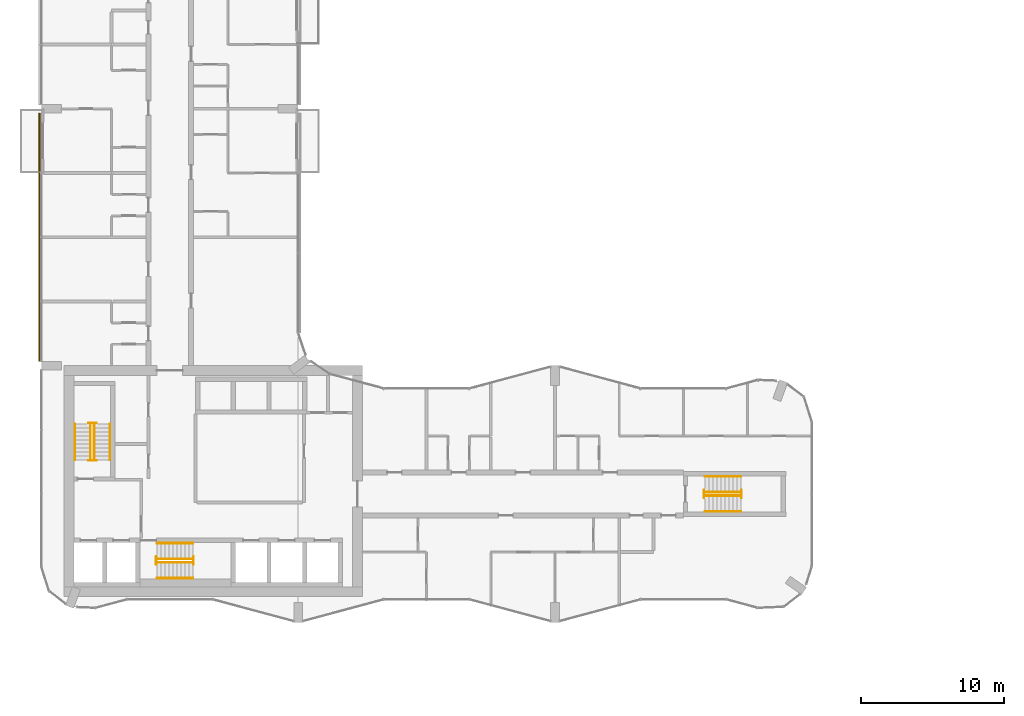
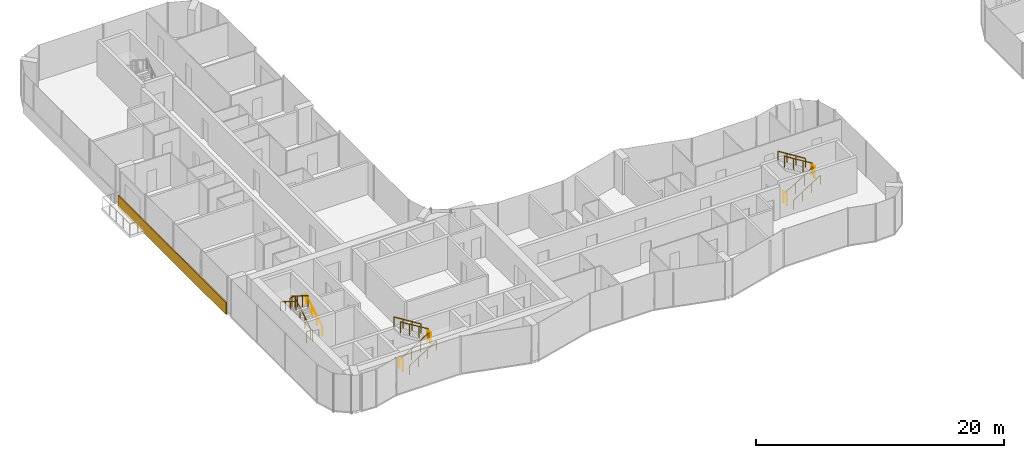
# One storey, part 20 of 22: 18 railings, 1 covering.
"""IFC4 building model written with IfcOpenShell, lengths in metres."""

from ifc_helpers import new_model, si_unit, direction, frame, origin, origin_2d, place, context, subcontext, project, spatial, rectangle, circle, extrude, material, layer, layer_set, type_object, element, save


model = new_model("IFC4")

# Units and contexts
model_context = context("Model", 3, precision=1e-05, world=origin(), true_north=direction((0.0, 1.0)))
body_context = subcontext(model_context, "Body", "Model", "MODEL_VIEW")
ifc_project = project(units=[si_unit("LENGTHUNIT", "METRE"), si_unit("AREAUNIT", "SQUARE_METRE"), si_unit("VOLUMEUNIT", "CUBIC_METRE"), si_unit("PLANEANGLEUNIT", "RADIAN"), si_unit("MASSUNIT", "GRAM", prefix="KILO")], contexts=[model_context])

# Site, building, storey
site_placement = place(None, origin())
site = spatial("IfcSite", under=ifc_project, at=site_placement, CompositionType="ELEMENT")
building_placement = place(site_placement, origin())
building = spatial("IfcBuilding", under=site, at=building_placement, Name="Plateau Cross Towers", CompositionType="ELEMENT")
storey_placement = place(building_placement, frame((0.0, 0.0, 68.800048828125)))
storey = spatial("IfcBuildingStorey", under=building, at=storey_placement, Name="L17", CompositionType="ELEMENT", Elevation=68.800048828125)

# Railings
ifc_material_1 = material(Name="Stainless steel and toughened glass", Category="steel")
railing_type_1 = type_object("IfcRailingType", Name="RL-GUARD-1100", PredefinedType="GUARDRAIL", material=ifc_material_1)
railing_1_placement = place(storey_placement, frame((3.699951171875, 11.39990234375, 0.175048828125)))
element("IfcRailing", 1, at=railing_1_placement, inside=storey, type_object=railing_type_1, Name="L17 ST-1 stair guard 1", PredefinedType="GUARDRAIL", context=body_context, shape_type="SweptSolid", body=[
    extrude(circle(Radius=0.02392578125, at=origin_2d()), frame((0.0, 0.0, 1.076171875), z_axis=(0.0, 0.848007534815, 0.529984170421), x_axis=(-1.0, 0.0, 0.0)), (0.0, 0.0, 1.0), 2.9716796875),
    extrude(circle(Radius=0.02099609375, at=origin_2d()), origin(), (0.0, 0.0, 1.0), 1.052001953125),
    extrude(circle(Radius=0.02099609375, at=origin_2d()), frame((0.0, 0.840087890625, 0.52490234375)), (0.0, 0.0, 1.0), 1.052001953125),
    extrude(circle(Radius=0.02099609375, at=origin_2d()), frame((0.0, 1.679931640625, 1.050048828125)), (0.0, 0.0, 1.0), 1.052001953125),
    extrude(circle(Radius=0.02099609375, at=origin_2d()), frame((0.0, 2.52001953125, 1.574951171875)), (0.0, 0.0, 1.0), 1.052001953125),
])
railing_2_placement = place(storey_placement, frame((3.85009765625, 13.969970703125, 1.75)))
element("IfcRailing", 2, at=railing_2_placement, inside=storey, type_object=railing_type_1, Name="L17 ST-1 stair guard 2", PredefinedType="GUARDRAIL", context=body_context, shape_type="SweptSolid", body=[
    extrude(circle(Radius=0.02392578125, at=origin_2d()), frame((0.0, 0.0, 1.076171875), z_axis=(-1.0, 0.0, 0.0), x_axis=(0.0, -1.0, 0.0)), (0.0, 0.0, 1.0), 0.550048828125),
    extrude(circle(Radius=0.02099609375, at=origin_2d()), origin(), (0.0, 0.0, 1.0), 1.052001953125),
    extrude(circle(Radius=0.02099609375, at=origin_2d()), frame((-0.550048828125, 0.0, 0.0)), (0.0, 0.0, 1.0), 1.052001953125),
])
railing_3_placement = place(storey_placement, frame((3.449951171875, 13.919921875, 1.925048828125)))
element("IfcRailing", 3, at=railing_3_placement, inside=storey, type_object=railing_type_1, Name="L17 ST-1 stair guard 3", PredefinedType="GUARDRAIL", context=body_context, shape_type="SweptSolid", body=[
    extrude(circle(Radius=0.02392578125, at=origin_2d()), frame((0.0, 0.0, 1.076171875), z_axis=(0.0, -0.852616386126, 0.522537365276), x_axis=(1.0, 0.0, 0.0)), (0.0, 0.0, 1.0), 3.01416015625),
    extrude(circle(Radius=0.02099609375, at=origin_2d()), origin(), (0.0, 0.0, 1.0), 1.052001953125),
    extrude(circle(Radius=0.02099609375, at=origin_2d()), frame((0.0, -0.856689453125, 0.52490234375)), (0.0, 0.0, 1.0), 1.052001953125),
    extrude(circle(Radius=0.02099609375, at=origin_2d()), frame((0.0, -1.713134765625, 1.050048828125)), (0.0, 0.0, 1.0), 1.052001953125),
    extrude(circle(Radius=0.02099609375, at=origin_2d()), frame((0.0, -2.56982421875, 1.574951171875)), (0.0, 0.0, 1.0), 1.052001953125),
])
railing_4_placement = place(storey_placement, frame((3.85009765625, 11.35009765625, 0.0)))
element("IfcRailing", 4, at=railing_4_placement, inside=storey, type_object=railing_type_1, Name="L17 ST-1 stair guard 4", PredefinedType="GUARDRAIL", context=body_context, shape_type="SweptSolid", body=[
    extrude(circle(Radius=0.02392578125, at=origin_2d()), frame((0.0, 0.0, 1.076171875), z_axis=(-1.0, 0.0, 0.0), x_axis=(0.0, -1.0, 0.0)), (0.0, 0.0, 1.0), 0.550048828125),
    extrude(circle(Radius=0.02099609375, at=origin_2d()), origin(), (0.0, 0.0, 1.0), 1.052001953125),
    extrude(circle(Radius=0.02099609375, at=origin_2d()), frame((-0.550048828125, 0.0, 0.0)), (0.0, 0.0, 1.0), 1.052001953125),
])
railing_5_placement = place(storey_placement, frame((8.10009765625, 4.199951171875, 0.175048828125)))
element("IfcRailing", 5, at=railing_5_placement, inside=storey, type_object=railing_type_1, Name="L17 ST-2 stair guard 1", PredefinedType="GUARDRAIL", context=body_context, shape_type="SweptSolid", body=[
    extrude(circle(Radius=0.02392578125, at=origin_2d()), frame((0.0, 0.0, 1.076171875), z_axis=(0.848007534815, 0.0, 0.529984170421), x_axis=(0.0, 1.0, 0.0)), (0.0, 0.0, 1.0), 2.9716796875),
    extrude(circle(Radius=0.02099609375, at=origin_2d()), origin(), (0.0, 0.0, 1.0), 1.052001953125),
    extrude(circle(Radius=0.02099609375, at=origin_2d()), frame((0.840087890625, 0.0, 0.52490234375)), (0.0, 0.0, 1.0), 1.052001953125),
    extrude(circle(Radius=0.02099609375, at=origin_2d()), frame((1.679931640625, 0.0, 1.050048828125)), (0.0, 0.0, 1.0), 1.052001953125),
    extrude(circle(Radius=0.02099609375, at=origin_2d()), frame((2.52001953125, 0.0, 1.574951171875)), (0.0, 0.0, 1.0), 1.052001953125),
])
railing_6_placement = place(storey_placement, frame((10.669921875, 4.050048828125, 1.75)))
element("IfcRailing", 6, at=railing_6_placement, inside=storey, type_object=railing_type_1, Name="L17 ST-2 stair guard 2", PredefinedType="GUARDRAIL", context=body_context, shape_type="SweptSolid", body=[
    extrude(circle(Radius=0.02392578125, at=origin_2d()), frame((0.0, 0.0, 1.076171875), z_axis=(0.0, 1.0, 0.0), x_axis=(-1.0, 0.0, 0.0)), (0.0, 0.0, 1.0), 0.550048828125),
    extrude(circle(Radius=0.02099609375, at=origin_2d()), origin(), (0.0, 0.0, 1.0), 1.052001953125),
    extrude(circle(Radius=0.02099609375, at=origin_2d()), frame((0.0, 0.550048828125, 0.0)), (0.0, 0.0, 1.0), 1.052001953125),
])
railing_7_placement = place(storey_placement, frame((10.6201171875, 4.449951171875, 1.925048828125)))
element("IfcRailing", 7, at=railing_7_placement, inside=storey, type_object=railing_type_1, Name="L17 ST-2 stair guard 3", PredefinedType="GUARDRAIL", context=body_context, shape_type="SweptSolid", body=[
    extrude(circle(Radius=0.02392578125, at=origin_2d()), frame((0.0, 0.0, 1.076171875), z_axis=(-0.852638500773, 0.0, 0.522501279423), x_axis=(0.0, -1.0, 0.0)), (0.0, 0.0, 1.0), 3.01416015625),
    extrude(circle(Radius=0.02099609375, at=origin_2d()), origin(), (0.0, 0.0, 1.0), 1.052001953125),
    extrude(circle(Radius=0.02099609375, at=origin_2d()), frame((-0.856689453125, 0.0, 0.52490234375)), (0.0, 0.0, 1.0), 1.052001953125),
    extrude(circle(Radius=0.02099609375, at=origin_2d()), frame((-1.71337890625, 0.0, 1.050048828125)), (0.0, 0.0, 1.0), 1.052001953125),
    extrude(circle(Radius=0.02099609375, at=origin_2d()), frame((-2.570068359375, 0.0, 1.574951171875)), (0.0, 0.0, 1.0), 1.052001953125),
])
railing_8_placement = place(storey_placement, frame((8.050048828125, 4.050048828125, 0.0)))
element("IfcRailing", 8, at=railing_8_placement, inside=storey, type_object=railing_type_1, Name="L17 ST-2 stair guard 4", PredefinedType="GUARDRAIL", context=body_context, shape_type="SweptSolid", body=[
    extrude(circle(Radius=0.02392578125, at=origin_2d()), frame((0.0, 0.0, 1.076171875), z_axis=(0.0, 1.0, 0.0), x_axis=(-1.0, 0.0, 0.0)), (0.0, 0.0, 1.0), 0.550048828125),
    extrude(circle(Radius=0.02099609375, at=origin_2d()), origin(), (0.0, 0.0, 1.0), 1.052001953125),
    extrude(circle(Radius=0.02099609375, at=origin_2d()), frame((0.0, 0.550048828125, 0.0)), (0.0, 0.0, 1.0), 1.052001953125),
])
railing_9_placement = place(storey_placement, frame((46.5, 8.875, 0.175048828125)))
element("IfcRailing", 9, at=railing_9_placement, inside=storey, type_object=railing_type_1, Name="L17 ES-E stair guard 1", PredefinedType="GUARDRAIL", context=body_context, shape_type="SweptSolid", body=[
    extrude(circle(Radius=0.02392578125, at=origin_2d()), frame((0.0, 0.0, 1.076171875), z_axis=(0.848007534815, 0.0, 0.529984170421), x_axis=(0.0, 1.0, 0.0)), (0.0, 0.0, 1.0), 2.9716796875),
    extrude(circle(Radius=0.02099609375, at=origin_2d()), origin(), (0.0, 0.0, 1.0), 1.052001953125),
    extrude(circle(Radius=0.02099609375, at=origin_2d()), frame((0.840087890625, 0.0, 0.52490234375)), (0.0, 0.0, 1.0), 1.052001953125),
    extrude(circle(Radius=0.02099609375, at=origin_2d()), frame((1.679931640625, 0.0, 1.050048828125)), (0.0, 0.0, 1.0), 1.052001953125),
    extrude(circle(Radius=0.02099609375, at=origin_2d()), frame((2.52001953125, 0.0, 1.574951171875)), (0.0, 0.0, 1.0), 1.052001953125),
])
railing_10_placement = place(storey_placement, frame((49.070068359375, 8.72509765625, 1.75)))
element("IfcRailing", 10, at=railing_10_placement, inside=storey, type_object=railing_type_1, Name="L17 ES-E stair guard 2", PredefinedType="GUARDRAIL", context=body_context, shape_type="SweptSolid", body=[
    extrude(circle(Radius=0.02392578125, at=origin_2d()), frame((0.0, 0.0, 1.076171875), z_axis=(0.0, 1.0, 0.0), x_axis=(-1.0, 0.0, 0.0)), (0.0, 0.0, 1.0), 0.5498046875),
    extrude(circle(Radius=0.02099609375, at=origin_2d()), origin(), (0.0, 0.0, 1.0), 1.052001953125),
    extrude(circle(Radius=0.02099609375, at=origin_2d()), frame((0.0, 0.5498046875, 0.0)), (0.0, 0.0, 1.0), 1.052001953125),
])
railing_11_placement = place(storey_placement, frame((49.02001953125, 9.125, 1.925048828125)))
element("IfcRailing", 11, at=railing_11_placement, inside=storey, type_object=railing_type_1, Name="L17 ES-E stair guard 3", PredefinedType="GUARDRAIL", context=body_context, shape_type="SweptSolid", body=[
    extrude(circle(Radius=0.02392578125, at=origin_2d()), frame((0.0, 0.0, 1.076171875), z_axis=(-0.852638500773, 0.0, 0.522501279423), x_axis=(0.0, -1.0, 0.0)), (0.0, 0.0, 1.0), 3.01416015625),
    extrude(circle(Radius=0.02099609375, at=origin_2d()), origin(), (0.0, 0.0, 1.0), 1.052001953125),
    extrude(circle(Radius=0.02099609375, at=origin_2d()), frame((-0.856689453125, 0.0, 0.52490234375)), (0.0, 0.0, 1.0), 1.052001953125),
    extrude(circle(Radius=0.02099609375, at=origin_2d()), frame((-1.71337890625, 0.0, 1.050048828125)), (0.0, 0.0, 1.0), 1.052001953125),
    extrude(circle(Radius=0.02099609375, at=origin_2d()), frame((-2.570068359375, 0.0, 1.574951171875)), (0.0, 0.0, 1.0), 1.052001953125),
])
railing_12_placement = place(storey_placement, frame((46.449951171875, 8.72509765625, 0.0)))
element("IfcRailing", 12, at=railing_12_placement, inside=storey, type_object=railing_type_1, Name="L17 ES-E stair guard 4", PredefinedType="GUARDRAIL", context=body_context, shape_type="SweptSolid", body=[
    extrude(circle(Radius=0.02392578125, at=origin_2d()), frame((0.0, 0.0, 1.076171875), z_axis=(0.0, 1.0, 0.0), x_axis=(-1.0, 0.0, 0.0)), (0.0, 0.0, 1.0), 0.5498046875),
    extrude(circle(Radius=0.02099609375, at=origin_2d()), origin(), (0.0, 0.0, 1.0), 1.052001953125),
    extrude(circle(Radius=0.02099609375, at=origin_2d()), frame((0.0, 0.5498046875, 0.0)), (0.0, 0.0, 1.0), 1.052001953125),
])
ifc_material_2 = material(Name="Black anodised aluminium", Category="aluminium")
railing_type_2 = type_object("IfcRailingType", Name="RL-HANDRAIL-900", PredefinedType="HANDRAIL", material=ifc_material_2)
railing_13_placement = place(storey_placement, frame((4.800048828125, 11.39990234375, 0.175048828125)))
element("IfcRailing", 13, at=railing_13_placement, inside=storey, type_object=railing_type_2, Name="L17 ST-1 stair handrail 1", PredefinedType="HANDRAIL", context=body_context, shape_type="SweptSolid", body=[
    extrude(circle(Radius=0.02392578125, at=origin_2d()), frame((0.0, 0.0, 0.8759765625), z_axis=(0.0, 0.848007534815, 0.529984170421), x_axis=(-1.0, 0.0, 0.0)), (0.0, 0.0, 1.0), 2.9716796875),
    extrude(circle(Radius=0.02099609375, at=origin_2d()), origin(), (0.0, 0.0, 1.0), 0.851806640625),
    extrude(circle(Radius=0.02099609375, at=origin_2d()), frame((0.0, 0.840087890625, 0.52490234375)), (0.0, 0.0, 1.0), 0.851806640625),
    extrude(circle(Radius=0.02099609375, at=origin_2d()), frame((0.0, 1.679931640625, 1.050048828125)), (0.0, 0.0, 1.0), 0.851806640625),
    extrude(circle(Radius=0.02099609375, at=origin_2d()), frame((0.0, 2.52001953125, 1.574951171875)), (0.0, 0.0, 1.0), 0.851806640625),
])
railing_14_placement = place(storey_placement, frame((2.35009765625, 13.919921875, 1.925048828125)))
element("IfcRailing", 14, at=railing_14_placement, inside=storey, type_object=railing_type_2, Name="L17 ST-1 stair handrail 2", PredefinedType="HANDRAIL", context=body_context, shape_type="SweptSolid", body=[
    extrude(circle(Radius=0.02392578125, at=origin_2d()), frame((0.0, 0.0, 0.8759765625), z_axis=(0.0, -0.848007534815, 0.529984170421), x_axis=(1.0, 0.0, 0.0)), (0.0, 0.0, 1.0), 2.9716796875),
    extrude(circle(Radius=0.02099609375, at=origin_2d()), origin(), (0.0, 0.0, 1.0), 0.851806640625),
    extrude(circle(Radius=0.02099609375, at=origin_2d()), frame((0.0, -0.840087890625, 0.52490234375)), (0.0, 0.0, 1.0), 0.851806640625),
    extrude(circle(Radius=0.02099609375, at=origin_2d()), frame((0.0, -1.679931640625, 1.050048828125)), (0.0, 0.0, 1.0), 0.851806640625),
    extrude(circle(Radius=0.02099609375, at=origin_2d()), frame((0.0, -2.52001953125, 1.574951171875)), (0.0, 0.0, 1.0), 0.851806640625),
])
railing_15_placement = place(storey_placement, frame((8.10009765625, 3.10009765625, 0.175048828125)))
element("IfcRailing", 15, at=railing_15_placement, inside=storey, type_object=railing_type_2, Name="L17 ST-2 stair handrail 1", PredefinedType="HANDRAIL", context=body_context, shape_type="SweptSolid", body=[
    extrude(circle(Radius=0.02392578125, at=origin_2d()), frame((0.0, 0.0, 0.8759765625), z_axis=(0.848007534815, 0.0, 0.529984170421), x_axis=(0.0, 1.0, 0.0)), (0.0, 0.0, 1.0), 2.9716796875),
    extrude(circle(Radius=0.02099609375, at=origin_2d()), origin(), (0.0, 0.0, 1.0), 0.851806640625),
    extrude(circle(Radius=0.02099609375, at=origin_2d()), frame((0.840087890625, 0.0, 0.52490234375)), (0.0, 0.0, 1.0), 0.851806640625),
    extrude(circle(Radius=0.02099609375, at=origin_2d()), frame((1.679931640625, 0.0, 1.050048828125)), (0.0, 0.0, 1.0), 0.851806640625),
    extrude(circle(Radius=0.02099609375, at=origin_2d()), frame((2.52001953125, 0.0, 1.574951171875)), (0.0, 0.0, 1.0), 0.851806640625),
])
railing_16_placement = place(storey_placement, frame((10.6201171875, 5.550048828125, 1.925048828125)))
element("IfcRailing", 16, at=railing_16_placement, inside=storey, type_object=railing_type_2, Name="L17 ST-2 stair handrail 2", PredefinedType="HANDRAIL", context=body_context, shape_type="SweptSolid", body=[
    extrude(circle(Radius=0.02392578125, at=origin_2d()), frame((0.0, 0.0, 0.8759765625), z_axis=(-0.848007534815, 0.0, 0.529984170421), x_axis=(0.0, -1.0, 0.0)), (0.0, 0.0, 1.0), 2.9716796875),
    extrude(circle(Radius=0.02099609375, at=origin_2d()), origin(), (0.0, 0.0, 1.0), 0.851806640625),
    extrude(circle(Radius=0.02099609375, at=origin_2d()), frame((-0.840087890625, 0.0, 0.52490234375)), (0.0, 0.0, 1.0), 0.851806640625),
    extrude(circle(Radius=0.02099609375, at=origin_2d()), frame((-1.679931640625, 0.0, 1.050048828125)), (0.0, 0.0, 1.0), 0.851806640625),
    extrude(circle(Radius=0.02099609375, at=origin_2d()), frame((-2.52001953125, 0.0, 1.574951171875)), (0.0, 0.0, 1.0), 0.851806640625),
])
railing_17_placement = place(storey_placement, frame((46.5, 7.77490234375, 0.175048828125)))
element("IfcRailing", 17, at=railing_17_placement, inside=storey, type_object=railing_type_2, Name="L17 ES-E stair handrail 1", PredefinedType="HANDRAIL", context=body_context, shape_type="SweptSolid", body=[
    extrude(circle(Radius=0.02392578125, at=origin_2d()), frame((0.0, 0.0, 0.8759765625), z_axis=(0.848007534815, 0.0, 0.529984170421), x_axis=(0.0, 1.0, 0.0)), (0.0, 0.0, 1.0), 2.9716796875),
    extrude(circle(Radius=0.02099609375, at=origin_2d()), origin(), (0.0, 0.0, 1.0), 0.851806640625),
    extrude(circle(Radius=0.02099609375, at=origin_2d()), frame((0.840087890625, 0.0, 0.52490234375)), (0.0, 0.0, 1.0), 0.851806640625),
    extrude(circle(Radius=0.02099609375, at=origin_2d()), frame((1.679931640625, 0.0, 1.050048828125)), (0.0, 0.0, 1.0), 0.851806640625),
    extrude(circle(Radius=0.02099609375, at=origin_2d()), frame((2.52001953125, 0.0, 1.574951171875)), (0.0, 0.0, 1.0), 0.851806640625),
])
railing_18_placement = place(storey_placement, frame((49.02001953125, 10.22509765625, 1.925048828125)))
element("IfcRailing", 18, at=railing_18_placement, inside=storey, type_object=railing_type_2, Name="L17 ES-E stair handrail 2", PredefinedType="HANDRAIL", context=body_context, shape_type="SweptSolid", body=[
    extrude(circle(Radius=0.02392578125, at=origin_2d()), frame((0.0, 0.0, 0.8759765625), z_axis=(-0.848007534815, 0.0, 0.529984170421), x_axis=(0.0, -1.0, 0.0)), (0.0, 0.0, 1.0), 2.9716796875),
    extrude(circle(Radius=0.02099609375, at=origin_2d()), origin(), (0.0, 0.0, 1.0), 0.851806640625),
    extrude(circle(Radius=0.02099609375, at=origin_2d()), frame((-0.840087890625, 0.0, 0.52490234375)), (0.0, 0.0, 1.0), 0.851806640625),
    extrude(circle(Radius=0.02099609375, at=origin_2d()), frame((-1.679931640625, 0.0, 1.050048828125)), (0.0, 0.0, 1.0), 0.851806640625),
    extrude(circle(Radius=0.02099609375, at=origin_2d()), frame((-2.52001953125, 0.0, 1.574951171875)), (0.0, 0.0, 1.0), 0.851806640625),
])

# Covering
ifc_material_3 = material(Name="Precast concrete cladding C40/50", Category="concrete")
ifc_layer = layer(ifc_material_3, 0.10009765625)
ifc_layer_set = layer_set([ifc_layer], Name="Precast concrete cladding C40/50")
covering_type = type_object("IfcCoveringType", Name="Spandrel band cladding 100x1200", PredefinedType="CLADDING", material=ifc_layer_set)
covering_placement = place(storey_placement, frame((-0.1201171875, 27.0, -0.25), z_axis=(0.0, 0.0, 1.0), x_axis=(0.0, -1.0, 0.0)))
element("IfcCovering", 19, at=covering_placement, inside=storey, type_object=covering_type, Name="Spandrel band", PredefinedType="CLADDING", context=body_context, shape_type="SweptSolid", body=[
    extrude(rectangle(XDim=17.39990234375, YDim=0.10009765625, at=origin_2d()), origin(), (0.0, 0.0, 1.0), 1.199951171875),
])

save(model, "model.ifc")
